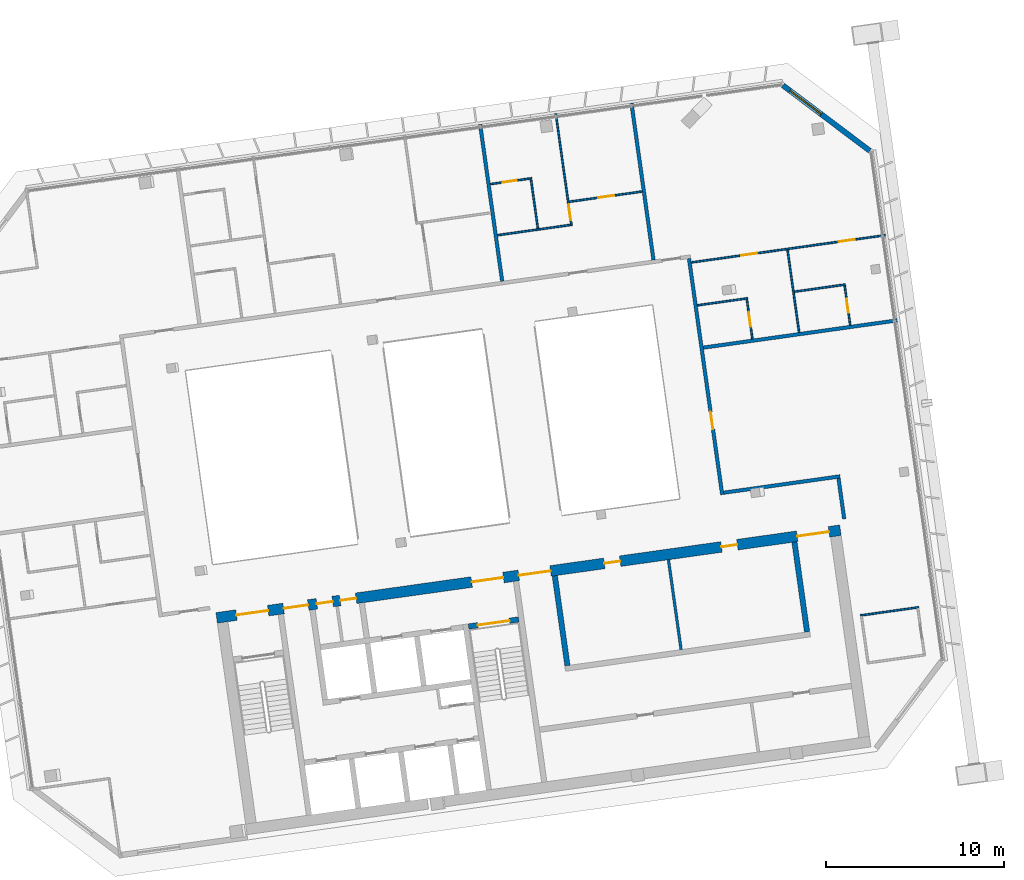
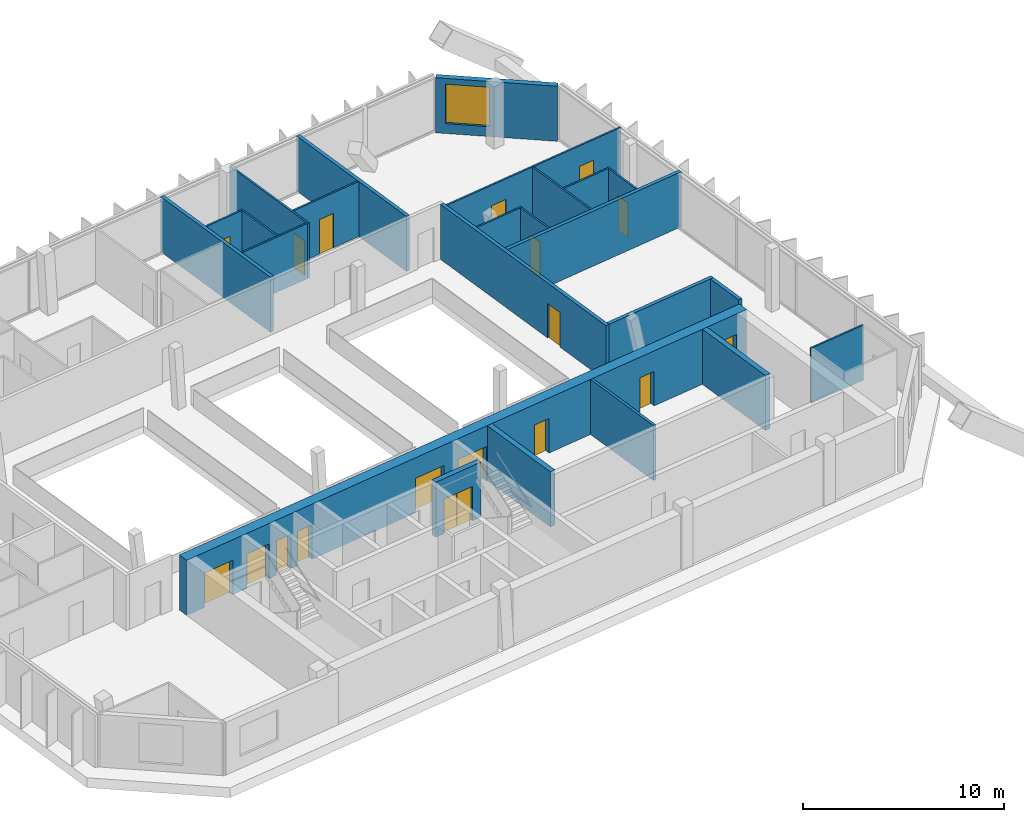
# One storey, part 21 of 26: 24 walls, 18 doors, 1 window, 19 openings.
"""IFC4 building model written with IfcOpenShell, lengths in metres."""

from ifc_helpers import new_model, si_unit, direction, frame, frame_2d, origin, place, context, subcontext, project, spatial, rectangle, extrude, material, layer, layer_set, type_object, element, fill, save


model = new_model("IFC4")

# Units and contexts
model_context = context("Model", 3, precision=1e-05, world=origin(), true_north=direction((0.0, 1.0)))
body_context = subcontext(model_context, "Body", "Model", "MODEL_VIEW")
ifc_project = project(units=[si_unit("LENGTHUNIT", "METRE"), si_unit("AREAUNIT", "SQUARE_METRE"), si_unit("VOLUMEUNIT", "CUBIC_METRE"), si_unit("PLANEANGLEUNIT", "RADIAN"), si_unit("MASSUNIT", "GRAM", prefix="KILO")], contexts=[model_context])

# Site, building, storey
site_placement = place(None, origin())
site = spatial("IfcSite", under=ifc_project, at=site_placement, CompositionType="ELEMENT")
building_placement = place(site_placement, origin())
building = spatial("IfcBuilding", under=site, at=building_placement, Name="Mirante Cascada Hotel Towers", CompositionType="ELEMENT")
storey_placement = place(building_placement, frame((0.0, 0.0, 228.0)))
storey = spatial("IfcBuildingStorey", under=building, at=storey_placement, Name="L54", CompositionType="ELEMENT", Elevation=228.0)

# Walls
ifc_material_1 = material(Name="Fire-rated plasterboard on metal studs")
ifc_layer_1 = layer(ifc_material_1, 0.2)
ifc_layer_set_1 = layer_set([ifc_layer_1], Name="Compartment wall 200 EI 120")
wall_type_1 = type_object("IfcWallType", Name="Compartment wall 200 EI 120", PredefinedType="PARTITIONING", material=ifc_layer_set_1)
wall_1_placement = place(storey_placement, frame((70.6781, 0.2835, 0.0), z_axis=(0.0, 0.0, 1.0), x_axis=(-0.990269, -0.1391661, 0.0)))
element("IfcWall", 1, at=wall_1_placement, inside=storey, type_object=wall_type_1, Name="Wall 2-L54-06", PredefinedType="PARTITIONING", context=body_context, shape_type="SweptSolid", body=[
    extrude(rectangle(XDim=6.6, YDim=0.2, at=frame_2d((3.3, 0.0))), origin(), (0.0, 0.0, 1.0), 3.35),
])
wall_2_placement = place(storey_placement, frame((62.9964, 7.5181, 0.0), z_axis=(0.0, 0.0, 1.0), x_axis=(0.990267, 0.139181, 0.0)))
element("IfcWall", 2, at=wall_2_placement, inside=storey, type_object=wall_type_1, Name="Wall 2-L54-11", PredefinedType="PARTITIONING", context=body_context, shape_type="SweptSolid", body=[
    extrude(rectangle(XDim=11.0001, YDim=0.2, at=frame_2d((5.5, 0.0))), origin(), (0.0, 0.0, 1.0), 3.35),
])
for number, where, z_axis, x_axis, name in (
    (3, (50.4534, 20.0613, 0.0), (0.0, 0.0, 1.0), (0.1391794, -0.9902672, 0.0), "Wall 2-L54-44"),
    (4, (60.1961, 12.443, 0.0), (0.0, 0.0, 1.0), (-0.1391794, 0.9902672, 0.0), "Wall 2-L54-47"),
):
    element("IfcWall", number, at=place(storey_placement, frame(where, z_axis=z_axis, x_axis=x_axis)), inside=storey, type_object=wall_type_1, Name=name, PredefinedType="PARTITIONING", context=body_context, shape_type="SweptSolid", body=[
        extrude(rectangle(XDim=8.9, YDim=0.2, at=frame_2d((4.45, 0.0))), origin(), (0.0, 0.0, 1.0), 3.35),
    ])

# Wall, opening, door
wall_3_placement = place(storey_placement, frame((62.1923, 12.5216, 0.0), z_axis=(0.0, 0.0, 1.0), x_axis=(0.1391716, -0.9902683, 0.0)))
wall_3 = element("IfcWall", 5, at=wall_3_placement, inside=storey, type_object=wall_type_1, Name="Wall 2-L54-48", PredefinedType="PARTITIONING", context=body_context, shape_type="SweptSolid", body=[
    extrude(rectangle(XDim=13.4, YDim=0.2, at=frame_2d((6.7, 0.0))), origin(), (0.0, 0.0, 1.0), 3.35),
])
opening_1_placement = place(wall_3_placement, frame((8.6834, 0.0, 0.0)))
opening_1 = element("IfcOpeningElement", 6, at=opening_1_placement, cuts=wall_3, Name="Opening D2-L54-29", PredefinedType="OPENING", context=body_context, shape_type="SweptSolid", body=[
    extrude(rectangle(XDim=1.0, YDim=2.1, at=frame_2d((0.5, 1.05))), frame((0.0, 0.1, 0.0), z_axis=(0.0, -1.0, 0.0), x_axis=(1.0, 0.0, 0.0)), (0.0, 0.0, 1.0), 0.2),
])
ifc_material_2 = material(Name="Fire-rated timber door leaf", Category="wood")
door_type_1 = type_object("IfcDoorType", Name="Entrance door DG1 1000x2100 EI 60", OperationType="SINGLE_SWING_LEFT", PredefinedType="DOOR", material=ifc_material_2)
door_1_placement = place(opening_1_placement, origin())
door_1 = element("IfcDoor", 7, at=door_1_placement, inside=storey, type_object=door_type_1, Name="Door D2-L54-29", OperationType="SINGLE_SWING_LEFT", OverallHeight=2.1, OverallWidth=1.0, PredefinedType="DOOR", context=body_context, shape_type="SweptSolid", body=[
    extrude(rectangle(XDim=1.0, YDim=2.1, at=frame_2d((0.5, 1.05))), frame((0.0, 0.025, 0.0), z_axis=(0.0, -1.0, 0.0), x_axis=(1.0, 0.0, 0.0)), (0.0, 0.0, 1.0), 0.05),
])
fill(opening_1, door_1)

# Walls
wall_4_placement = place(storey_placement, frame((70.9131, -2.107, 0.0), z_axis=(0.0, 0.0, 1.0), x_axis=(-0.1391749, 0.9902678, 0.0)))
element("IfcWall", 8, at=wall_4_placement, inside=storey, type_object=wall_type_1, Name="Wall 2-L54-51", PredefinedType="PARTITIONING", context=body_context, shape_type="SweptSolid", body=[
    extrude(rectangle(XDim=2.3, YDim=0.2, at=frame_2d((1.15, 0.0))), origin(), (0.0, 0.0, 1.0), 3.35),
])
ifc_material_3 = material(Name="Masonry block", Category="masonry")
ifc_layer_2 = layer(ifc_material_3, 0.15)
ifc_layer_set_2 = layer_set([ifc_layer_2], Name="Core room partition 150 block EI 30")
wall_type_2 = type_object("IfcWallType", Name="Core room partition 150 block EI 30", PredefinedType="PARTITIONING", material=ifc_layer_set_2)
wall_5_placement = place(storey_placement, frame((61.7464, -9.4543, 0.0), z_axis=(0.0, 0.0, 1.0), x_axis=(-0.1391755, 0.9902677, 0.0)))
element("IfcWall", 9, at=wall_5_placement, inside=storey, type_object=wall_type_2, Name="Core wall partition T2 L54 7", PredefinedType="PARTITIONING", context=body_context, shape_type="SweptSolid", body=[
    extrude(rectangle(XDim=5.1, YDim=0.15, at=frame_2d((2.55, 0.0))), origin(), (0.0, 0.0, 1.0), 3.35),
])
ifc_material_4 = material(Name="Plasterboard on metal studs")
ifc_layer_3 = layer(ifc_material_4, 0.1)
ifc_layer_set_3 = layer_set([ifc_layer_3], Name="Partition 100")
wall_type_3 = type_object("IfcWallType", Name="Partition 100", PredefinedType="PARTITIONING", material=ifc_layer_set_3)
wall_6_placement = place(storey_placement, frame((71.8271, -7.5326, 0.0), z_axis=(0.0, 0.0, 1.0), x_axis=(0.9902705, 0.1391555, 0.0)))
element("IfcWall", 10, at=wall_6_placement, inside=storey, type_object=wall_type_3, Name="Wall 2-L54-03", PredefinedType="PARTITIONING", context=body_context, shape_type="SweptSolid", body=[
    extrude(rectangle(XDim=3.2999, YDim=0.1, at=frame_2d((1.65, 0.0))), origin(), (0.0, 0.0, 1.0), 3.35),
])
wall_7_placement = place(storey_placement, frame((65.4847, 10.2914, 0.0), z_axis=(0.0, 0.0, 1.0), x_axis=(-0.9902704, -0.1391564, 0.0)))
element("IfcWall", 11, at=wall_7_placement, inside=storey, type_object=wall_type_3, Name="Wall 2-L54-14", PredefinedType="PARTITIONING", context=body_context, shape_type="SweptSolid", body=[
    extrude(rectangle(XDim=2.85, YDim=0.1, at=frame_2d((1.425, 0.0))), origin(), (0.0, 0.0, 1.0), 3.35),
])
wall_8_placement = place(storey_placement, frame((68.1089, 10.6602, 0.0), z_axis=(0.0, 0.0, 1.0), x_axis=(0.9902683, 0.1391714, 0.0)))
element("IfcWall", 12, at=wall_8_placement, inside=storey, type_object=wall_type_3, Name="Wall 2-L54-15", PredefinedType="PARTITIONING", context=body_context, shape_type="SweptSolid", body=[
    extrude(rectangle(XDim=2.9, YDim=0.1, at=frame_2d((1.45, 0.0))), origin(), (0.0, 0.0, 1.0), 3.35),
])

# Wall, openings, doors
wall_9_placement = place(storey_placement, frame((62.3238, 12.3045, 0.0), z_axis=(0.0, 0.0, 1.0), x_axis=(0.990268, 0.1391733, 0.0)))
wall_9 = element("IfcWall", 13, at=wall_9_placement, inside=storey, type_object=wall_type_3, Name="Wall 2-L54-17", PredefinedType="PARTITIONING", context=body_context, shape_type="SweptSolid", body=[
    extrude(rectangle(XDim=11.0, YDim=0.1, at=frame_2d((5.5, 0.0))), origin(), (0.0, 0.0, 1.0), 3.35),
])
opening_2_placement = place(wall_9_placement, frame((2.825, 0.0, 0.0)))
opening_2 = element("IfcOpeningElement", 14, at=opening_2_placement, cuts=wall_9, Name="Opening D2-L54-06", PredefinedType="OPENING", context=body_context, shape_type="SweptSolid", body=[
    extrude(rectangle(XDim=0.9, YDim=2.1, at=frame_2d((0.45, 1.05))), frame((0.0, 0.05, 0.0), z_axis=(0.0, -1.0, 0.0), x_axis=(1.0, 0.0, 0.0)), (0.0, 0.0, 1.0), 0.1),
])
opening_3_placement = place(wall_9_placement, frame((8.375, 0.0, 0.0)))
opening_3 = element("IfcOpeningElement", 15, at=opening_3_placement, cuts=wall_9, Name="Opening D2-L54-07", PredefinedType="OPENING", context=body_context, shape_type="SweptSolid", body=[
    extrude(rectangle(XDim=0.9, YDim=2.1, at=frame_2d((0.45, 1.05))), frame((0.0, 0.05, 0.0), z_axis=(0.0, -1.0, 0.0), x_axis=(1.0, 0.0, 0.0)), (0.0, 0.0, 1.0), 0.1),
])
ifc_material_5 = material(Name="Timber door leaf", Category="wood")
door_type_2 = type_object("IfcDoorType", Name="Room door DG3 900x2100", OperationType="SINGLE_SWING_LEFT", PredefinedType="DOOR", material=ifc_material_5)
door_2_placement = place(opening_2_placement, origin())
door_2 = element("IfcDoor", 16, at=door_2_placement, inside=storey, type_object=door_type_2, Name="Door D2-L54-06", OperationType="SINGLE_SWING_LEFT", OverallHeight=2.1, OverallWidth=0.9, PredefinedType="DOOR", context=body_context, shape_type="SweptSolid", body=[
    extrude(rectangle(XDim=0.9, YDim=2.1, at=frame_2d((0.45, 1.05))), frame((0.0, 0.025, 0.0), z_axis=(0.0, -1.0, 0.0), x_axis=(1.0, 0.0, 0.0)), (0.0, 0.0, 1.0), 0.05),
])
fill(opening_2, door_2)
door_3_placement = place(opening_3_placement, origin())
door_3 = element("IfcDoor", 17, at=door_3_placement, inside=storey, type_object=door_type_2, Name="Door D2-L54-07", OperationType="SINGLE_SWING_LEFT", OverallHeight=2.1, OverallWidth=0.9, PredefinedType="DOOR", context=body_context, shape_type="SweptSolid", body=[
    extrude(rectangle(XDim=0.9, YDim=2.1, at=frame_2d((0.45, 1.05))), frame((0.0, 0.025, 0.0), z_axis=(0.0, -1.0, 0.0), x_axis=(1.0, 0.0, 0.0)), (0.0, 0.0, 1.0), 0.05),
])
fill(opening_3, door_3)

# Wall
wall_10_placement = place(storey_placement, frame((51.4292, 13.8365, 0.0), z_axis=(0.0, 0.0, 1.0), x_axis=(0.9902684, 0.1391709, 0.0)))
element("IfcWall", 18, at=wall_10_placement, inside=storey, type_object=wall_type_3, Name="Wall 2-L54-19", PredefinedType="PARTITIONING", context=body_context, shape_type="SweptSolid", body=[
    extrude(rectangle(XDim=4.1438, YDim=0.1, at=frame_2d((2.0719, 0.0))), origin(), (0.0, 0.0, 1.0), 3.35),
])

# Wall, opening, door
wall_11_placement = place(storey_placement, frame((55.4508, 15.7145, 0.0), z_axis=(0.0, 0.0, 1.0), x_axis=(0.9902684, 0.1391709, 0.0)))
wall_11 = element("IfcWall", 19, at=wall_11_placement, inside=storey, type_object=wall_type_3, Name="Wall 2-L54-23", PredefinedType="PARTITIONING", context=body_context, shape_type="SweptSolid", body=[
    extrude(rectangle(XDim=4.1438, YDim=0.1, at=frame_2d((2.0719, 0.0))), origin(), (0.0, 0.0, 1.0), 3.35),
])
opening_4_placement = place(wall_11_placement, frame((1.6469, 0.0, 0.0)))
opening_4 = element("IfcOpeningElement", 20, at=opening_4_placement, cuts=wall_11, Name="Opening D2-L54-14", PredefinedType="OPENING", context=body_context, shape_type="SweptSolid", body=[
    extrude(rectangle(XDim=0.9, YDim=2.1, at=frame_2d((0.45, 1.05))), frame((0.0, 0.05, 0.0), z_axis=(0.0, -1.0, 0.0), x_axis=(1.0, 0.0, 0.0)), (0.0, 0.0, 1.0), 0.1),
])
door_4_placement = place(opening_4_placement, frame((0.9, 0.0, 0.0), z_axis=(0.0, 0.0, 1.0), x_axis=(-1.0, 0.0, 0.0)))
door_4 = element("IfcDoor", 21, at=door_4_placement, inside=storey, type_object=door_type_2, Name="Door D2-L54-14", OperationType="SINGLE_SWING_RIGHT", OverallHeight=2.1, OverallWidth=0.9, PredefinedType="DOOR", context=body_context, shape_type="SweptSolid", body=[
    extrude(rectangle(XDim=0.9, YDim=2.1, at=frame_2d((0.45, 1.05))), frame((0.0, 0.025, 0.0), z_axis=(0.0, -1.0, 0.0), x_axis=(1.0, 0.0, 0.0)), (0.0, 0.0, 1.0), 0.05),
])
fill(opening_4, door_4)

wall_12_placement = place(storey_placement, frame((53.2537, 17.0214, 0.0), z_axis=(0.0, 0.0, 1.0), x_axis=(-0.9902705, -0.1391561, 0.0)))
wall_12 = element("IfcWall", 22, at=wall_12_placement, inside=storey, type_object=wall_type_3, Name="Wall 2-L54-26", PredefinedType="PARTITIONING", context=body_context, shape_type="SweptSolid", body=[
    extrude(rectangle(XDim=2.25, YDim=0.1, at=frame_2d((1.125, 0.0))), origin(), (0.0, 0.0, 1.0), 3.35),
])
opening_5_placement = place(wall_12_placement, frame((0.75, 0.0, 0.0)))
opening_5 = element("IfcOpeningElement", 23, at=opening_5_placement, cuts=wall_12, Name="Opening D2-L54-15", PredefinedType="OPENING", context=body_context, shape_type="SweptSolid", body=[
    extrude(rectangle(XDim=0.8, YDim=2.1, at=frame_2d((0.4, 1.05))), frame((0.0, 0.05, 0.0), z_axis=(0.0, -1.0, 0.0), x_axis=(1.0, 0.0, 0.0)), (0.0, 0.0, 1.0), 0.1),
])
ifc_material_6 = material(Name="Timber door leaf", Category="wood")
door_type_3 = type_object("IfcDoorType", Name="Bathroom door DG4 800x2100", OperationType="SINGLE_SWING_LEFT", PredefinedType="DOOR", material=ifc_material_6)
door_5_placement = place(opening_5_placement, frame((0.8, 0.0, 0.0), z_axis=(0.0, 0.0, 1.0), x_axis=(-1.0, 0.0, 0.0)))
door_5 = element("IfcDoor", 24, at=door_5_placement, inside=storey, type_object=door_type_3, Name="Door D2-L54-15", OperationType="SINGLE_SWING_RIGHT", OverallHeight=2.1, OverallWidth=0.8, PredefinedType="DOOR", context=body_context, shape_type="SweptSolid", body=[
    extrude(rectangle(XDim=0.8, YDim=2.1, at=frame_2d((0.4, 1.05))), frame((0.0, 0.025, 0.0), z_axis=(0.0, -1.0, 0.0), x_axis=(1.0, 0.0, 0.0)), (0.0, 0.0, 1.0), 0.05),
])
fill(opening_5, door_5)

# Wall
wall_13_placement = place(storey_placement, frame((53.6999, 14.2061, 0.0), z_axis=(0.0, 0.0, 1.0), x_axis=(-0.1391714, 0.9902683, 0.0)))
element("IfcWall", 25, at=wall_13_placement, inside=storey, type_object=wall_type_3, Name="Wall 2-L54-45", PredefinedType="PARTITIONING", context=body_context, shape_type="SweptSolid", body=[
    extrude(rectangle(XDim=2.9, YDim=0.1, at=frame_2d((1.45, 0.0))), origin(), (0.0, 0.0, 1.0), 3.35),
])

# Wall, opening, door
wall_14_placement = place(storey_placement, frame((54.7054, 20.6588, 0.0), z_axis=(0.0, 0.0, 1.0), x_axis=(0.139181, -0.990267, 0.0)))
wall_14 = element("IfcWall", 26, at=wall_14_placement, inside=storey, type_object=wall_type_3, Name="Wall 2-L54-46", PredefinedType="PARTITIONING", context=body_context, shape_type="SweptSolid", body=[
    extrude(rectangle(XDim=6.35, YDim=0.1, at=frame_2d((3.175, 0.0))), origin(), (0.0, 0.0, 1.0), 3.35),
])
opening_6_placement = place(wall_14_placement, frame((5.15, 0.0, 0.0)))
opening_6 = element("IfcOpeningElement", 27, at=opening_6_placement, cuts=wall_14, Name="Opening D2-L54-28", PredefinedType="OPENING", context=body_context, shape_type="SweptSolid", body=[
    extrude(rectangle(XDim=0.9, YDim=2.1, at=frame_2d((0.45, 1.05))), frame((0.0, 0.05, 0.0), z_axis=(0.0, -1.0, 0.0), x_axis=(1.0, 0.0, 0.0)), (0.0, 0.0, 1.0), 0.1),
])
door_6_placement = place(opening_6_placement, frame((0.9, 0.0, 0.0), z_axis=(0.0, 0.0, 1.0), x_axis=(-1.0, 0.0, 0.0)))
door_6 = element("IfcDoor", 28, at=door_6_placement, inside=storey, type_object=door_type_2, Name="Door D2-L54-28", OperationType="SINGLE_SWING_RIGHT", OverallHeight=2.1, OverallWidth=0.9, PredefinedType="DOOR", context=body_context, shape_type="SweptSolid", body=[
    extrude(rectangle(XDim=0.9, YDim=2.1, at=frame_2d((0.45, 1.05))), frame((0.0, 0.025, 0.0), z_axis=(0.0, -1.0, 0.0), x_axis=(1.0, 0.0, 0.0)), (0.0, 0.0, 1.0), 0.05),
])
fill(opening_6, door_6)

wall_15_placement = place(storey_placement, frame((65.7553, 8.0069, 0.0), z_axis=(0.0, 0.0, 1.0), x_axis=(-0.1391997, 0.9902643, 0.0)))
wall_15 = element("IfcWall", 29, at=wall_15_placement, inside=storey, type_object=wall_type_3, Name="Wall 2-L54-49", PredefinedType="PARTITIONING", context=body_context, shape_type="SweptSolid", body=[
    extrude(rectangle(XDim=2.25, YDim=0.1, at=frame_2d((1.125, 0.0))), origin(), (0.0, 0.0, 1.0), 3.35),
])
opening_7_placement = place(wall_15_placement, frame((0.7, 0.0, 0.0)))
opening_7 = element("IfcOpeningElement", 30, at=opening_7_placement, cuts=wall_15, Name="Opening D2-L54-30", PredefinedType="OPENING", context=body_context, shape_type="SweptSolid", body=[
    extrude(rectangle(XDim=0.8, YDim=2.1, at=frame_2d((0.4, 1.05))), frame((0.0, 0.05, 0.0), z_axis=(0.0, -1.0, 0.0), x_axis=(1.0, 0.0, 0.0)), (0.0, 0.0, 1.0), 0.1),
])
door_7_placement = place(opening_7_placement, origin())
door_7 = element("IfcDoor", 31, at=door_7_placement, inside=storey, type_object=door_type_3, Name="Door D2-L54-30", OperationType="SINGLE_SWING_LEFT", OverallHeight=2.1, OverallWidth=0.8, PredefinedType="DOOR", context=body_context, shape_type="SweptSolid", body=[
    extrude(rectangle(XDim=0.8, YDim=2.1, at=frame_2d((0.4, 1.05))), frame((0.0, 0.025, 0.0), z_axis=(0.0, -1.0, 0.0), x_axis=(1.0, 0.0, 0.0)), (0.0, 0.0, 1.0), 0.05),
])
fill(opening_7, door_7)

# Wall
wall_16_placement = place(storey_placement, frame((67.7277, 13.0135, 0.0), z_axis=(0.0, 0.0, 1.0), x_axis=(0.139173, -0.9902681, 0.0)))
element("IfcWall", 32, at=wall_16_placement, inside=storey, type_object=wall_type_3, Name="Wall 2-L54-50", PredefinedType="PARTITIONING", context=body_context, shape_type="SweptSolid", body=[
    extrude(rectangle(XDim=4.6834, YDim=0.1, at=frame_2d((2.3417, 0.0))), origin(), (0.0, 0.0, 1.0), 3.35),
])

# Wall, opening, door
wall_17_placement = place(storey_placement, frame((71.2513, 8.7793, 0.0), z_axis=(0.0, 0.0, 1.0), x_axis=(-0.1391997, 0.9902643, 0.0)))
wall_17 = element("IfcWall", 33, at=wall_17_placement, inside=storey, type_object=wall_type_3, Name="Wall 2-L54-53", PredefinedType="PARTITIONING", context=body_context, shape_type="SweptSolid", body=[
    extrude(rectangle(XDim=2.25, YDim=0.1, at=frame_2d((1.125, 0.0))), origin(), (0.0, 0.0, 1.0), 3.35),
])
opening_8_placement = place(wall_17_placement, frame((0.7, 0.0, 0.0)))
opening_8 = element("IfcOpeningElement", 34, at=opening_8_placement, cuts=wall_17, Name="Opening D2-L54-31", PredefinedType="OPENING", context=body_context, shape_type="SweptSolid", body=[
    extrude(rectangle(XDim=0.8, YDim=2.1, at=frame_2d((0.4, 1.05))), frame((0.0, 0.05, 0.0), z_axis=(0.0, -1.0, 0.0), x_axis=(1.0, 0.0, 0.0)), (0.0, 0.0, 1.0), 0.1),
])
door_8_placement = place(opening_8_placement, origin())
door_8 = element("IfcDoor", 35, at=door_8_placement, inside=storey, type_object=door_type_3, Name="Door D2-L54-31", OperationType="SINGLE_SWING_LEFT", OverallHeight=2.1, OverallWidth=0.8, PredefinedType="DOOR", context=body_context, shape_type="SweptSolid", body=[
    extrude(rectangle(XDim=0.8, YDim=2.1, at=frame_2d((0.4, 1.05))), frame((0.0, 0.025, 0.0), z_axis=(0.0, -1.0, 0.0), x_axis=(1.0, 0.0, 0.0)), (0.0, 0.0, 1.0), 0.05),
])
fill(opening_8, door_8)

# Wall, opening, window
ifc_material_7 = material(Name="Precast concrete C40/50", Category="concrete")
ifc_layer_4 = layer(ifc_material_7, 0.3)
ifc_layer_set_4 = layer_set([ifc_layer_4], Name="Precast concrete C40/50 cladding wall 300")
wall_type_4 = type_object("IfcWallType", Name="Precast concrete C40/50 cladding wall 300", PredefinedType="STANDARD", material=ifc_layer_set_4)
wall_18_placement = place(storey_placement, frame((72.3546, 18.5766, 0.0), z_axis=(0.0, 0.0, 1.0), x_axis=(-0.7986362, 0.6018141, 0.0)))
wall_18 = element("IfcWall", 36, at=wall_18_placement, inside=storey, type_object=wall_type_4, Name="Corner cladding wall T2 L54 outer front", PredefinedType="STANDARD", context=body_context, shape_type="SweptSolid", body=[
    extrude(rectangle(XDim=6.1157, YDim=0.3, at=frame_2d((3.0578, 0.0))), origin(), (0.0, 0.0, 1.0), 3.35),
])
opening_9_placement = place(wall_18_placement, frame((3.4182, 0.0, 0.6)))
opening_9 = element("IfcOpeningElement", 37, at=opening_9_placement, cuts=wall_18, Name="Opening W2-54-03", PredefinedType="OPENING", context=body_context, shape_type="SweptSolid", body=[
    extrude(rectangle(XDim=2.2, YDim=2.4, at=frame_2d((1.1, 1.2))), frame((0.0, 0.15, 0.0), z_axis=(0.0, -1.0, 0.0), x_axis=(1.0, 0.0, 0.0)), (0.0, 0.0, 1.0), 0.3),
])
ifc_material_8 = material(Name="Aluminium frame with clear double glazing", Category="aluminium")
window_type = type_object("IfcWindowType", Name="Corner suite window 2200x2400", PartitioningType="DOUBLE_PANEL_VERTICAL", PredefinedType="WINDOW", material=ifc_material_8)
window_placement = place(opening_9_placement, origin())
window = element("IfcWindow", 38, at=window_placement, inside=storey, type_object=window_type, Name="Window W2-54-03", OverallHeight=2.4, OverallWidth=2.2, PartitioningType="SINGLE_PANEL", PredefinedType="WINDOW", context=body_context, shape_type="SweptSolid", body=[
    extrude(rectangle(XDim=2.2, YDim=2.4, at=frame_2d((1.1, 1.2))), frame((0.0, 0.03, 0.0), z_axis=(0.0, -1.0, 0.0), x_axis=(1.0, 0.0, 0.0)), (0.0, 0.0, 1.0), 0.06),
])
fill(opening_9, window)

# Wall, opening, door
ifc_material_9 = material(Name="Concrete C50/60", Category="concrete")
ifc_layer_5 = layer(ifc_material_9, 0.3)
ifc_layer_set_5 = layer_set([ifc_layer_5], Name="RC core wall 300 C50/60")
wall_type_5 = type_object("IfcWallType", Name="RC core wall 300 C50/60", PredefinedType="SHEAR", material=ifc_layer_set_5)
wall_19_placement = place(storey_placement, frame((49.7992, -8.1544, 0.0), z_axis=(0.0, 0.0, 1.0), x_axis=(0.9902656, 0.1391909, 0.0)))
wall_19 = element("IfcWall", 39, at=wall_19_placement, inside=storey, type_object=wall_type_5, Name="Core wall T2:L54:9", PredefinedType="SHEAR", context=body_context, shape_type="SweptSolid", body=[
    extrude(rectangle(XDim=2.85, YDim=0.3, at=frame_2d((1.425, 0.0))), origin(), (0.0, 0.0, 1.0), 3.35),
])
opening_10_placement = place(wall_19_placement, frame((0.525, 0.0, 0.0)))
opening_10 = element("IfcOpeningElement", 40, at=opening_10_placement, cuts=wall_19, Name="Opening D2-54-C09", PredefinedType="OPENING", context=body_context, shape_type="SweptSolid", body=[
    extrude(rectangle(XDim=1.8, YDim=2.1, at=frame_2d((0.9, 1.05))), frame((0.0, 0.15, 0.0), z_axis=(0.0, -1.0, 0.0), x_axis=(1.0, 0.0, 0.0)), (0.0, 0.0, 1.0), 0.3),
])
ifc_material_10 = material(Name="Hollow metal fire door leaf")
door_type_4 = type_object("IfcDoorType", Name="Double fire door 1800x2100 FD60", OperationType="DOUBLE_DOOR_SINGLE_SWING", PredefinedType="DOOR", material=ifc_material_10)
door_9_placement = place(opening_10_placement, frame((1.8, 0.0, 0.0), z_axis=(0.0, 0.0, 1.0), x_axis=(-1.0, 0.0, 0.0)))
door_9 = element("IfcDoor", 41, at=door_9_placement, inside=storey, type_object=door_type_4, Name="Stair door T2 L54 9", OperationType="DOUBLE_DOOR_SINGLE_SWING", OverallHeight=2.1, OverallWidth=1.8, PredefinedType="DOOR", context=body_context, shape_type="SweptSolid", body=[
    extrude(rectangle(XDim=0.895, YDim=2.1, at=frame_2d((0.4475, 1.05))), frame((0.0, 0.025, 0.0), z_axis=(0.0, -1.0, 0.0), x_axis=(1.0, 0.0, 0.0)), (0.0, 0.0, 1.0), 0.05),
    extrude(rectangle(XDim=0.895, YDim=2.1, at=frame_2d((1.3525, 1.05))), frame((0.0, 0.025, 0.0), z_axis=(0.0, -1.0, 0.0), x_axis=(1.0, 0.0, 0.0)), (0.0, 0.0, 1.0), 0.05),
])
fill(opening_10, door_9)

# Walls
for number, where, z_axis, x_axis, name in (
    (42, (55.3592, -10.352, 0.0), (0.0, 0.0, 1.0), (-0.1391755, 0.9902677, 0.0), "Core wall T2:L54:26"),
    (43, (68.8268, -8.4592, 0.0), (0.0, 0.0, 1.0), (-0.1391755, 0.9902677, 0.0), "Core wall T2:L54:27"),
):
    element("IfcWall", number, at=place(storey_placement, frame(where, z_axis=z_axis, x_axis=x_axis)), inside=storey, type_object=wall_type_5, Name=name, PredefinedType="SHEAR", context=body_context, shape_type="SweptSolid", body=[
        extrude(rectangle(XDim=5.1, YDim=0.3, at=frame_2d((2.55, 0.0))), origin(), (0.0, 0.0, 1.0), 3.35),
    ])

# Wall, openings, doors
ifc_material_11 = material(Name="Concrete C50/60", Category="concrete")
ifc_layer_6 = layer(ifc_material_11, 0.6)
ifc_layer_set_6 = layer_set([ifc_layer_6], Name="RC core wall 600 C50/60")
wall_type_6 = type_object("IfcWallType", Name="RC core wall 600 C50/60", PredefinedType="SHEAR", material=ifc_layer_set_6)
wall_20_placement = place(storey_placement, frame((35.644, -7.6697, 0.0), z_axis=(0.0, 0.0, 1.0), x_axis=(0.9902682, 0.1391723, 0.0)))
wall_20 = element("IfcWall", 44, at=wall_20_placement, inside=storey, type_object=wall_type_6, Name="Core wall T2:L54:2", PredefinedType="SHEAR", context=body_context, shape_type="SweptSolid", body=[
    extrude(rectangle(XDim=35.4, YDim=0.6, at=frame_2d((17.7, 0.0))), origin(), (0.0, 0.0, 1.0), 3.35),
])
opening_11_placement = place(wall_20_placement, frame((1.125, 0.0, 0.0)))
opening_11 = element("IfcOpeningElement", 45, at=opening_11_placement, cuts=wall_20, Name="Opening D2-54-C08", PredefinedType="OPENING", context=body_context, shape_type="SweptSolid", body=[
    extrude(rectangle(XDim=1.8, YDim=2.1, at=frame_2d((0.9, 1.05))), frame((0.0, 0.3, 0.0), z_axis=(0.0, -1.0, 0.0), x_axis=(1.0, 0.0, 0.0)), (0.0, 0.0, 1.0), 0.6),
])
opening_12_placement = place(wall_20_placement, frame((14.475, 0.0, 0.0)))
opening_12 = element("IfcOpeningElement", 46, at=opening_12_placement, cuts=wall_20, Name="Opening D2-54-C10", PredefinedType="OPENING", context=body_context, shape_type="SweptSolid", body=[
    extrude(rectangle(XDim=1.8, YDim=2.1, at=frame_2d((0.9, 1.05))), frame((0.0, 0.3, 0.0), z_axis=(0.0, -1.0, 0.0), x_axis=(1.0, 0.0, 0.0)), (0.0, 0.0, 1.0), 0.6),
])
opening_13_placement = place(wall_20_placement, frame((3.8, 0.0, 0.0)))
opening_13 = element("IfcOpeningElement", 47, at=opening_13_placement, cuts=wall_20, Name="Opening D2-54-C11", PredefinedType="OPENING", context=body_context, shape_type="SweptSolid", body=[
    extrude(rectangle(XDim=1.4, YDim=2.1, at=frame_2d((0.7, 1.05))), frame((0.0, 0.3, 0.0), z_axis=(0.0, -1.0, 0.0), x_axis=(1.0, 0.0, 0.0)), (0.0, 0.0, 1.0), 0.6),
])
opening_14_placement = place(wall_20_placement, frame((17.15, 0.0, 0.0)))
opening_14 = element("IfcOpeningElement", 48, at=opening_14_placement, cuts=wall_20, Name="Opening D2-54-C12", PredefinedType="OPENING", context=body_context, shape_type="SweptSolid", body=[
    extrude(rectangle(XDim=1.8, YDim=2.1, at=frame_2d((0.9, 1.05))), frame((0.0, 0.3, 0.0), z_axis=(0.0, -1.0, 0.0), x_axis=(1.0, 0.0, 0.0)), (0.0, 0.0, 1.0), 0.6),
])
opening_15_placement = place(wall_20_placement, frame((32.95, 0.0, 0.0)))
opening_15 = element("IfcOpeningElement", 49, at=opening_15_placement, cuts=wall_20, Name="Opening D2-54-C13", PredefinedType="OPENING", context=body_context, shape_type="SweptSolid", body=[
    extrude(rectangle(XDim=1.8, YDim=2.1, at=frame_2d((0.9, 1.05))), frame((0.0, 0.3, 0.0), z_axis=(0.0, -1.0, 0.0), x_axis=(1.0, 0.0, 0.0)), (0.0, 0.0, 1.0), 0.6),
])
opening_16_placement = place(wall_20_placement, frame((5.6875, 0.0, 0.0)))
opening_16 = element("IfcOpeningElement", 50, at=opening_16_placement, cuts=wall_20, Name="Opening D2-54-C16", PredefinedType="OPENING", context=body_context, shape_type="SweptSolid", body=[
    extrude(rectangle(XDim=0.9, YDim=2.1, at=frame_2d((0.45, 1.05))), frame((0.0, 0.3, 0.0), z_axis=(0.0, -1.0, 0.0), x_axis=(1.0, 0.0, 0.0)), (0.0, 0.0, 1.0), 0.6),
])
opening_17_placement = place(wall_20_placement, frame((7.0125, 0.0, 0.0)))
opening_17 = element("IfcOpeningElement", 51, at=opening_17_placement, cuts=wall_20, Name="Opening D2-54-C17", PredefinedType="OPENING", context=body_context, shape_type="SweptSolid", body=[
    extrude(rectangle(XDim=0.9, YDim=2.1, at=frame_2d((0.45, 1.05))), frame((0.0, 0.3, 0.0), z_axis=(0.0, -1.0, 0.0), x_axis=(1.0, 0.0, 0.0)), (0.0, 0.0, 1.0), 0.6),
])
opening_18_placement = place(wall_20_placement, frame((22.0, 0.0, 0.0)))
opening_18 = element("IfcOpeningElement", 52, at=opening_18_placement, cuts=wall_20, Name="Opening D2-54-C20", PredefinedType="OPENING", context=body_context, shape_type="SweptSolid", body=[
    extrude(rectangle(XDim=0.9, YDim=2.1, at=frame_2d((0.45, 1.05))), frame((0.0, 0.3, 0.0), z_axis=(0.0, -1.0, 0.0), x_axis=(1.0, 0.0, 0.0)), (0.0, 0.0, 1.0), 0.6),
])
opening_19_placement = place(wall_20_placement, frame((28.65, 0.0, 0.0)))
opening_19 = element("IfcOpeningElement", 53, at=opening_19_placement, cuts=wall_20, Name="Opening D2-54-C21", PredefinedType="OPENING", context=body_context, shape_type="SweptSolid", body=[
    extrude(rectangle(XDim=0.9, YDim=2.1, at=frame_2d((0.45, 1.05))), frame((0.0, 0.3, 0.0), z_axis=(0.0, -1.0, 0.0), x_axis=(1.0, 0.0, 0.0)), (0.0, 0.0, 1.0), 0.6),
])
ifc_material_12 = material(Name="Hollow metal fire door leaf")
door_type_5 = type_object("IfcDoorType", Name="Double fire door 1400x2100 FD60", OperationType="DOUBLE_DOOR_SINGLE_SWING", PredefinedType="DOOR", material=ifc_material_12)
door_10_placement = place(opening_13_placement, origin())
door_10 = element("IfcDoor", 54, at=door_10_placement, inside=storey, type_object=door_type_5, Name="Exit door to gallery T2 L54 11", OperationType="DOUBLE_DOOR_SINGLE_SWING", OverallHeight=2.1, OverallWidth=1.4, PredefinedType="DOOR", context=body_context, shape_type="SweptSolid", body=[
    extrude(rectangle(XDim=0.695, YDim=2.1, at=frame_2d((0.3475, 1.05))), frame((0.0, 0.025, 0.0), z_axis=(0.0, -1.0, 0.0), x_axis=(1.0, 0.0, 0.0)), (0.0, 0.0, 1.0), 0.05),
    extrude(rectangle(XDim=0.695, YDim=2.1, at=frame_2d((1.0525, 1.05))), frame((0.0, 0.025, 0.0), z_axis=(0.0, -1.0, 0.0), x_axis=(1.0, 0.0, 0.0)), (0.0, 0.0, 1.0), 0.05),
])
fill(opening_13, door_10)
door_11_placement = place(opening_11_placement, frame((1.8, 0.0, 0.0), z_axis=(0.0, 0.0, 1.0), x_axis=(-1.0, 0.0, 0.0)))
door_11 = element("IfcDoor", 55, at=door_11_placement, inside=storey, type_object=door_type_4, Name="Exit door to gallery T2 L54 8", OperationType="DOUBLE_DOOR_SINGLE_SWING", OverallHeight=2.1, OverallWidth=1.8, PredefinedType="DOOR", context=body_context, shape_type="SweptSolid", body=[
    extrude(rectangle(XDim=0.895, YDim=2.1, at=frame_2d((0.4475, 1.05))), frame((0.0, 0.025, 0.0), z_axis=(0.0, -1.0, 0.0), x_axis=(1.0, 0.0, 0.0)), (0.0, 0.0, 1.0), 0.05),
    extrude(rectangle(XDim=0.895, YDim=2.1, at=frame_2d((1.3525, 1.05))), frame((0.0, 0.025, 0.0), z_axis=(0.0, -1.0, 0.0), x_axis=(1.0, 0.0, 0.0)), (0.0, 0.0, 1.0), 0.05),
])
fill(opening_11, door_11)
door_12_placement = place(opening_12_placement, frame((1.8, 0.0, 0.0), z_axis=(0.0, 0.0, 1.0), x_axis=(-1.0, 0.0, 0.0)))
door_12 = element("IfcDoor", 56, at=door_12_placement, inside=storey, type_object=door_type_4, Name="Exit door to gallery T2 L54 10", OperationType="DOUBLE_DOOR_SINGLE_SWING", OverallHeight=2.1, OverallWidth=1.8, PredefinedType="DOOR", context=body_context, shape_type="SweptSolid", body=[
    extrude(rectangle(XDim=0.895, YDim=2.1, at=frame_2d((0.4475, 1.05))), frame((0.0, 0.025, 0.0), z_axis=(0.0, -1.0, 0.0), x_axis=(1.0, 0.0, 0.0)), (0.0, 0.0, 1.0), 0.05),
    extrude(rectangle(XDim=0.895, YDim=2.1, at=frame_2d((1.3525, 1.05))), frame((0.0, 0.025, 0.0), z_axis=(0.0, -1.0, 0.0), x_axis=(1.0, 0.0, 0.0)), (0.0, 0.0, 1.0), 0.05),
])
fill(opening_12, door_12)
door_13_placement = place(opening_14_placement, origin())
door_13 = element("IfcDoor", 57, at=door_13_placement, inside=storey, type_object=door_type_4, Name="Exit door to gallery T2 L54 12", OperationType="DOUBLE_DOOR_SINGLE_SWING", OverallHeight=2.1, OverallWidth=1.8, PredefinedType="DOOR", context=body_context, shape_type="SweptSolid", body=[
    extrude(rectangle(XDim=0.895, YDim=2.1, at=frame_2d((0.4475, 1.05))), frame((0.0, 0.025, 0.0), z_axis=(0.0, -1.0, 0.0), x_axis=(1.0, 0.0, 0.0)), (0.0, 0.0, 1.0), 0.05),
    extrude(rectangle(XDim=0.895, YDim=2.1, at=frame_2d((1.3525, 1.05))), frame((0.0, 0.025, 0.0), z_axis=(0.0, -1.0, 0.0), x_axis=(1.0, 0.0, 0.0)), (0.0, 0.0, 1.0), 0.05),
])
fill(opening_14, door_13)
door_14_placement = place(opening_15_placement, origin())
door_14 = element("IfcDoor", 58, at=door_14_placement, inside=storey, type_object=door_type_4, Name="Exit door to gallery T2 L54 13", OperationType="DOUBLE_DOOR_SINGLE_SWING", OverallHeight=2.1, OverallWidth=1.8, PredefinedType="DOOR", context=body_context, shape_type="SweptSolid", body=[
    extrude(rectangle(XDim=0.895, YDim=2.1, at=frame_2d((0.4475, 1.05))), frame((0.0, 0.025, 0.0), z_axis=(0.0, -1.0, 0.0), x_axis=(1.0, 0.0, 0.0)), (0.0, 0.0, 1.0), 0.05),
    extrude(rectangle(XDim=0.895, YDim=2.1, at=frame_2d((1.3525, 1.05))), frame((0.0, 0.025, 0.0), z_axis=(0.0, -1.0, 0.0), x_axis=(1.0, 0.0, 0.0)), (0.0, 0.0, 1.0), 0.05),
])
fill(opening_15, door_14)
ifc_material_13 = material(Name="Hollow metal fire door leaf")
door_type_6 = type_object("IfcDoorType", Name="Fire door 900x2100 FD60", OperationType="NOTDEFINED", PredefinedType="DOOR", material=ifc_material_13)
door_15_placement = place(opening_16_placement, frame((0.9, 0.0, 0.0), z_axis=(0.0, 0.0, 1.0), x_axis=(-1.0, 0.0, 0.0)))
door_15 = element("IfcDoor", 59, at=door_15_placement, inside=storey, type_object=door_type_6, Name="Room door T2 L54 16", OperationType="SINGLE_SWING_LEFT", OverallHeight=2.1, OverallWidth=0.9, PredefinedType="DOOR", context=body_context, shape_type="SweptSolid", body=[
    extrude(rectangle(XDim=0.9, YDim=2.1, at=frame_2d((0.45, 1.05))), frame((0.0, 0.025, 0.0), z_axis=(0.0, -1.0, 0.0), x_axis=(1.0, 0.0, 0.0)), (0.0, 0.0, 1.0), 0.05),
])
fill(opening_16, door_15)
door_16_placement = place(opening_17_placement, frame((0.9, 0.0, 0.0), z_axis=(0.0, 0.0, 1.0), x_axis=(-1.0, 0.0, 0.0)))
door_16 = element("IfcDoor", 60, at=door_16_placement, inside=storey, type_object=door_type_6, Name="Room door T2 L54 17", OperationType="SINGLE_SWING_LEFT", OverallHeight=2.1, OverallWidth=0.9, PredefinedType="DOOR", context=body_context, shape_type="SweptSolid", body=[
    extrude(rectangle(XDim=0.9, YDim=2.1, at=frame_2d((0.45, 1.05))), frame((0.0, 0.025, 0.0), z_axis=(0.0, -1.0, 0.0), x_axis=(1.0, 0.0, 0.0)), (0.0, 0.0, 1.0), 0.05),
])
fill(opening_17, door_16)
door_17_placement = place(opening_18_placement, frame((0.9, 0.0, 0.0), z_axis=(0.0, 0.0, 1.0), x_axis=(-1.0, 0.0, 0.0)))
door_17 = element("IfcDoor", 61, at=door_17_placement, inside=storey, type_object=door_type_6, Name="Room door T2 L54 20", OperationType="SINGLE_SWING_RIGHT", OverallHeight=2.1, OverallWidth=0.9, PredefinedType="DOOR", context=body_context, shape_type="SweptSolid", body=[
    extrude(rectangle(XDim=0.9, YDim=2.1, at=frame_2d((0.45, 1.05))), frame((0.0, 0.025, 0.0), z_axis=(0.0, -1.0, 0.0), x_axis=(1.0, 0.0, 0.0)), (0.0, 0.0, 1.0), 0.05),
])
fill(opening_18, door_17)
door_18_placement = place(opening_19_placement, frame((0.9, 0.0, 0.0), z_axis=(0.0, 0.0, 1.0), x_axis=(-1.0, 0.0, 0.0)))
door_18 = element("IfcDoor", 62, at=door_18_placement, inside=storey, type_object=door_type_6, Name="Room door T2 L54 21", OperationType="SINGLE_SWING_RIGHT", OverallHeight=2.1, OverallWidth=0.9, PredefinedType="DOOR", context=body_context, shape_type="SweptSolid", body=[
    extrude(rectangle(XDim=0.9, YDim=2.1, at=frame_2d((0.45, 1.05))), frame((0.0, 0.025, 0.0), z_axis=(0.0, -1.0, 0.0), x_axis=(1.0, 0.0, 0.0)), (0.0, 0.0, 1.0), 0.05),
])
fill(opening_19, door_18)

save(model, "model.ifc")
